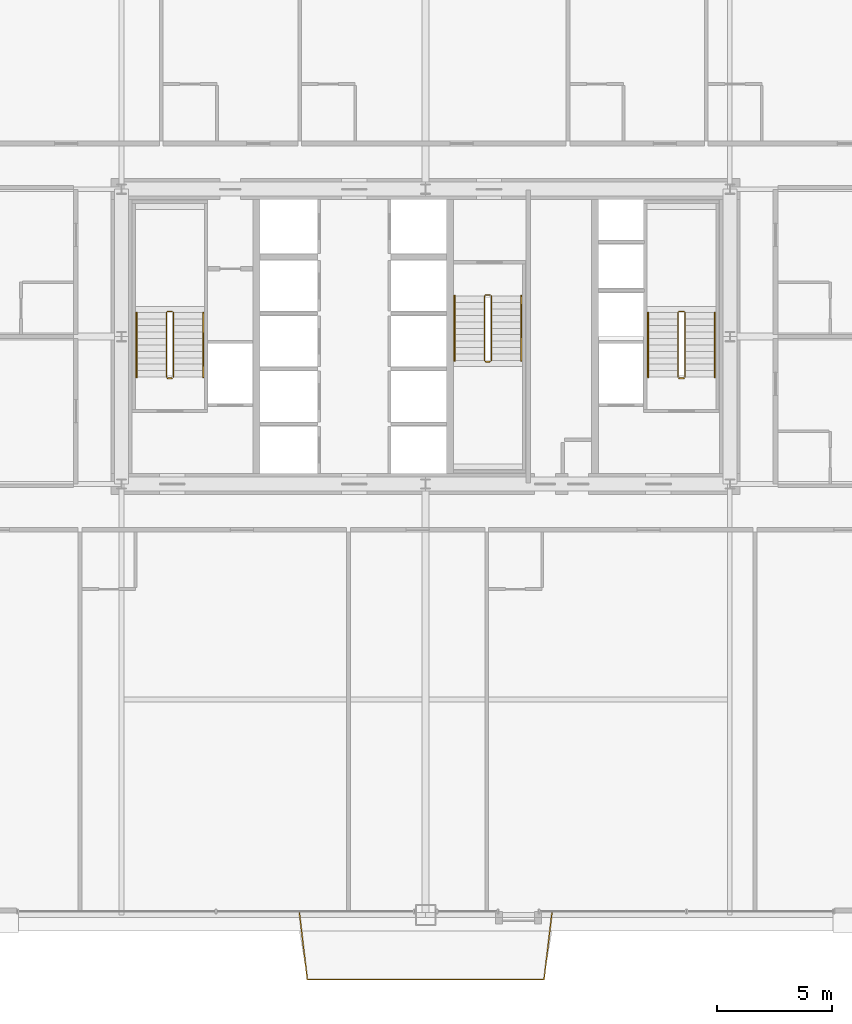
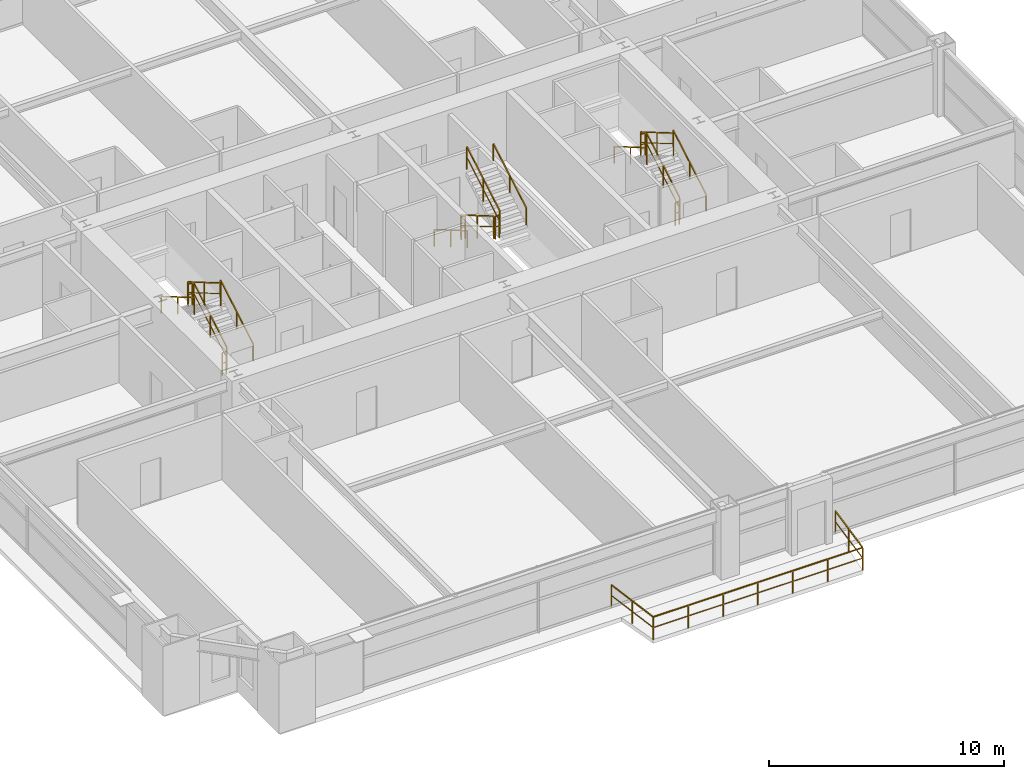
# One storey, part 43 of 43: 19 railings.
"""IFC4 building model written with IfcOpenShell, lengths in metres."""

from ifc_helpers import new_model, si_unit, direction, frame, origin, origin_2d, place, context, subcontext, project, spatial, rectangle, extrude, source, transform, mapped, material, layer, layer_set, type_object, element, save


model = new_model("IFC4")

# Units and contexts
model_context = context("Model", 3, precision=1e-05, world=origin(), true_north=direction((0.0, 1.0)))
body_context = subcontext(model_context, "Body", "Model", "MODEL_VIEW")
ifc_project = project(units=[si_unit("LENGTHUNIT", "METRE"), si_unit("AREAUNIT", "SQUARE_METRE"), si_unit("VOLUMEUNIT", "CUBIC_METRE"), si_unit("PLANEANGLEUNIT", "RADIAN"), si_unit("MASSUNIT", "GRAM", prefix="KILO"), si_unit("THERMODYNAMICTEMPERATUREUNIT", "KELVIN"), si_unit("POWERUNIT", "WATT")], contexts=[model_context])

# Site, building, storey
site_placement = place(None, origin())
site = spatial("IfcSite", under=ifc_project, at=site_placement, CompositionType="ELEMENT")
building_placement = place(site_placement, origin())
building = spatial("IfcBuilding", under=site, at=building_placement, Name="Yuzanri Waterfront Tower", CompositionType="ELEMENT")
storey_placement = place(building_placement, frame((0.0, 0.0, 78.39990234375)))
storey = spatial("IfcBuildingStorey", under=building, at=storey_placement, Name="L20", CompositionType="ELEMENT", Elevation=78.39990234375)

# Railings
ifc_material_1 = material(Name="Anodized Architectural Bronze", Category="metal")
ifc_layer_1 = layer(ifc_material_1, 0.080078125)
ifc_layer_set_1 = layer_set([ifc_layer_1], Name="Anodized Architectural Bronze")
railing_type_1 = type_object("IfcRailingType", Name="Laminated Glass and Bronze Balcony Guardrail 1200", PredefinedType="BALUSTRADE", material=ifc_layer_set_1)
shared_shape_1 = source(origin(), body_context, "Body", "SweptSolid", [
    extrude(rectangle(XDim=0.050048828125, YDim=0.050048828125, at=origin_2d()), frame((0.0, 0.0, 1.1748046875), z_axis=(0.117929074741, -0.993022020567, 0.0), x_axis=(0.993022020567, 0.117929074741, 0.0)), (0.0, 0.0, 1.0), 2.96875),
    extrude(rectangle(XDim=0.035888671875, YDim=0.030029296875, at=origin_2d()), frame((0.0, 0.0, 0.6240234375), z_axis=(0.117929074741, -0.993022020567, 0.0), x_axis=(0.993022020567, 0.117929074741, 0.0)), (0.0, 0.0, 1.0), 2.96875),
    extrude(rectangle(XDim=0.050048828125, YDim=0.050048828125, at=origin_2d()), frame((0.35009765625, -2.947998046875, 1.1748046875), z_axis=(1.0, 0.0, 0.0), x_axis=(0.0, 1.0, 0.0)), (0.0, 0.0, 1.0), 10.27392578125),
    extrude(rectangle(XDim=0.035888671875, YDim=0.030029296875, at=origin_2d()), frame((0.35009765625, -2.947998046875, 0.6240234375), z_axis=(1.0, 0.0, 0.0), x_axis=(0.0, 1.0, 0.0)), (0.0, 0.0, 1.0), 10.27392578125),
    extrude(rectangle(XDim=0.050048828125, YDim=0.050048828125, at=origin_2d()), frame((10.6240234375, -2.947998046875, 1.1748046875), z_axis=(0.117929074741, 0.993022020567, 0.0), x_axis=(-0.993022020567, 0.117929074741, 0.0)), (0.0, 0.0, 1.0), 2.96875),
    extrude(rectangle(XDim=0.035888671875, YDim=0.030029296875, at=origin_2d()), frame((10.6240234375, -2.947998046875, 0.6240234375), z_axis=(0.117929074741, 0.993022020567, 0.0), x_axis=(-0.993022020567, 0.117929074741, 0.0)), (0.0, 0.0, 1.0), 2.96875),
    extrude(rectangle(XDim=0.0458984375, YDim=0.0458984375, at=origin_2d()), origin(), (0.0, 0.0, 1.0), 1.14990234375),
    extrude(rectangle(XDim=0.0458984375, YDim=0.0458984375, at=origin_2d()), frame((0.175048828125, -1.47412109375, 0.0)), (0.0, 0.0, 1.0), 1.14990234375),
    extrude(rectangle(XDim=0.0458984375, YDim=0.0458984375, at=origin_2d()), frame((0.35009765625, -2.947998046875, 0.0)), (0.0, 0.0, 1.0), 1.14990234375),
    extrude(rectangle(XDim=0.0458984375, YDim=0.0458984375, at=origin_2d()), frame((2.0625, -2.947998046875, 0.0)), (0.0, 0.0, 1.0), 1.14990234375),
    extrude(rectangle(XDim=0.0458984375, YDim=0.0458984375, at=origin_2d()), frame((3.774658203125, -2.947998046875, 0.0)), (0.0, 0.0, 1.0), 1.14990234375),
    extrude(rectangle(XDim=0.0458984375, YDim=0.0458984375, at=origin_2d()), frame((5.487060546875, -2.947998046875, 0.0)), (0.0, 0.0, 1.0), 1.14990234375),
    extrude(rectangle(XDim=0.0458984375, YDim=0.0458984375, at=origin_2d()), frame((7.199462890625, -2.947998046875, 0.0)), (0.0, 0.0, 1.0), 1.14990234375),
    extrude(rectangle(XDim=0.0458984375, YDim=0.0458984375, at=origin_2d()), frame((8.91162109375, -2.947998046875, 0.0)), (0.0, 0.0, 1.0), 1.14990234375),
    extrude(rectangle(XDim=0.0458984375, YDim=0.0458984375, at=origin_2d()), frame((10.6240234375, -2.947998046875, 0.0)), (0.0, 0.0, 1.0), 1.14990234375),
    extrude(rectangle(XDim=0.0458984375, YDim=0.0458984375, at=origin_2d()), frame((10.799072265625, -1.47412109375, 0.0)), (0.0, 0.0, 1.0), 1.14990234375),
    extrude(rectangle(XDim=0.0458984375, YDim=0.0458984375, at=origin_2d()), frame((10.97412109375, 0.0, 0.0)), (0.0, 0.0, 1.0), 1.14990234375),
])
railing_1_placement = place(storey_placement, frame((31.512939453125, 0.85009765625, 0.0)))
element("IfcRailing", 1, at=railing_1_placement, inside=storey, type_object=railing_type_1, Name="L20 S Engawa Terrace Guardrail", PredefinedType="BALUSTRADE", context=body_context, shape_type="MappedRepresentation", body=[
    mapped(shared_shape_1, transform((0.0, 0.0, 0.0), scale=1.0)),
])
ifc_material_2 = material(Name="Painted Galvanized Fire Steel", Category="steel")
ifc_layer_2 = layer(ifc_material_2, 0.06005859375)
ifc_layer_set_2 = layer_set([ifc_layer_2], Name="Painted Galvanized Fire Steel")
railing_type_2 = type_object("IfcRailingType", Name="Painted Steel Stairwell Guardrail 1120", PredefinedType="GUARDRAIL", material=ifc_layer_set_2)
shared_shape_2 = source(origin(), body_context, "Body", "SweptSolid", [
    extrude(rectangle(XDim=0.050048828125, YDim=0.050048828125, at=origin_2d()), frame((0.0, 0.0, 1.1748046875), z_axis=(-1.0, 0.0, 0.0), x_axis=(0.0, -1.0, 0.0)), (0.0, 0.0, 1.0), 0.199951171875),
    extrude(rectangle(XDim=0.035888671875, YDim=0.030029296875, at=origin_2d()), frame((0.0, 0.0, 0.6240234375), z_axis=(-1.0, 0.0, 0.0), x_axis=(0.0, -1.0, 0.0)), (0.0, 0.0, 1.0), 0.199951171875),
    extrude(rectangle(XDim=0.0458984375, YDim=0.0458984375, at=origin_2d()), origin(), (0.0, 0.0, 1.0), 1.14990234375),
    extrude(rectangle(XDim=0.0458984375, YDim=0.0458984375, at=origin_2d()), frame((-0.199951171875, 0.0, 0.0)), (0.0, 0.0, 1.0), 1.14990234375),
])
for number, where, name in (
    (2, (26.0, 26.889892578125, 1.800048828125), "L20 ST-01 stair guard 2"),
    (3, (26.0, 23.989990234375, 0.0), "L20 ST-01 stair guard 4"),
    (4, (48.199951171875, 26.889892578125, 1.800048828125), "L20 ST-02 stair guard 2"),
    (5, (48.199951171875, 23.989990234375, 0.0), "L20 ST-02 stair guard 4"),
):
    element("IfcRailing", number, at=place(storey_placement, frame(where)), inside=storey, type_object=railing_type_2, Name=name, PredefinedType="GUARDRAIL", context=body_context, shape_type="MappedRepresentation", body=[
        mapped(shared_shape_2, transform((0.0, 0.0, 0.0), scale=1.0)),
    ])
shared_shape_3 = source(origin(), body_context, "Body", "SweptSolid", [
    extrude(rectangle(XDim=0.050048828125, YDim=0.050048828125, at=origin_2d()), frame((0.0, 0.0, 1.1748046875), z_axis=(0.0, 0.863393664356, 0.504530851732), x_axis=(-1.0, 0.0, 0.0)), (0.0, 0.0, 1.0), 3.2431640625),
    extrude(rectangle(XDim=0.035888671875, YDim=0.030029296875, at=origin_2d()), frame((0.0, 0.0, 0.6240234375), z_axis=(0.0, 0.863393664356, 0.504530851732), x_axis=(-1.0, 0.0, 0.0)), (0.0, 0.0, 1.0), 3.2431640625),
    extrude(rectangle(XDim=0.0458984375, YDim=0.0458984375, at=origin_2d()), origin(), (0.0, 0.0, 1.0), 1.14990234375),
    extrude(rectangle(XDim=0.0458984375, YDim=0.0458984375, at=origin_2d()), frame((0.0, 1.39990234375, 0.818115234375)), (0.0, 0.0, 1.0), 1.14990234375),
    extrude(rectangle(XDim=0.0458984375, YDim=0.0458984375, at=origin_2d()), frame((0.0, 2.800048828125, 1.63623046875)), (0.0, 0.0, 1.0), 1.14990234375),
])
for number, where, name in (
    (6, (26.050048828125, 24.0400390625, 0.163818359375), "L20 ST-01 stair guard 1"),
    (7, (48.25, 24.0400390625, 0.163818359375), "L20 ST-02 stair guard 1"),
):
    element("IfcRailing", number, at=place(storey_placement, frame(where)), inside=storey, type_object=railing_type_2, Name=name, PredefinedType="GUARDRAIL", context=body_context, shape_type="MappedRepresentation", body=[
        mapped(shared_shape_3, transform((0.0, 0.0, 0.0), scale=1.0)),
    ])
shared_shape_4 = source(origin(), body_context, "Body", "SweptSolid", [
    extrude(rectangle(XDim=0.050048828125, YDim=0.050048828125, at=origin_2d()), frame((0.0, 0.0, 1.1748046875), z_axis=(0.0, -0.863393664356, 0.504530851732), x_axis=(1.0, 0.0, 0.0)), (0.0, 0.0, 1.0), 3.2431640625),
    extrude(rectangle(XDim=0.035888671875, YDim=0.030029296875, at=origin_2d()), frame((0.0, 0.0, 0.6240234375), z_axis=(0.0, -0.863393664356, 0.504530851732), x_axis=(1.0, 0.0, 0.0)), (0.0, 0.0, 1.0), 3.2431640625),
    extrude(rectangle(XDim=0.0458984375, YDim=0.0458984375, at=origin_2d()), origin(), (0.0, 0.0, 1.0), 1.14990234375),
    extrude(rectangle(XDim=0.0458984375, YDim=0.0458984375, at=origin_2d()), frame((0.0, -1.39990234375, 0.818115234375)), (0.0, 0.0, 1.0), 1.14990234375),
    extrude(rectangle(XDim=0.0458984375, YDim=0.0458984375, at=origin_2d()), frame((0.0, -2.800048828125, 1.63623046875)), (0.0, 0.0, 1.0), 1.14990234375),
])
railing_2_placement = place(storey_placement, frame((39.550048828125, 27.56005859375, 0.163818359375)))
element("IfcRailing", 8, at=railing_2_placement, inside=storey, type_object=railing_type_2, Name="L20 ST-03 stair guard 1", PredefinedType="GUARDRAIL", context=body_context, shape_type="MappedRepresentation", body=[
    mapped(shared_shape_4, transform((0.0, 0.0, 0.0), scale=1.0)),
])
ifc_material_3 = material(Name="Anodized Architectural Bronze", Category="metal")
ifc_layer_3 = layer(ifc_material_3, 0.050048828125)
ifc_layer_set_3 = layer_set([ifc_layer_3], Name="Anodized Architectural Bronze")
railing_type_3 = type_object("IfcRailingType", Name="Brushed Bronze Stair Pitch Handrail 920", PredefinedType="HANDRAIL", material=ifc_layer_set_3)
shared_shape_5 = source(origin(), body_context, "Body", "SweptSolid", [
    extrude(rectangle(XDim=0.050048828125, YDim=0.050048828125, at=origin_2d()), frame((0.0, 0.0, 0.875), z_axis=(0.0, 0.863393664356, 0.504530851732), x_axis=(-1.0, 0.0, 0.0)), (0.0, 0.0, 1.0), 3.2431640625),
    extrude(rectangle(XDim=0.0458984375, YDim=0.0458984375, at=origin_2d()), origin(), (0.0, 0.0, 1.0), 0.849853515625),
    extrude(rectangle(XDim=0.0458984375, YDim=0.0458984375, at=origin_2d()), frame((0.0, 1.39990234375, 0.818115234375)), (0.0, 0.0, 1.0), 0.849853515625),
    extrude(rectangle(XDim=0.0458984375, YDim=0.0458984375, at=origin_2d()), frame((0.0, 2.800048828125, 1.63623046875)), (0.0, 0.0, 1.0), 0.849853515625),
])
for number, where, name in (
    (9, (27.35009765625, 24.0400390625, 0.163818359375), "L20 ST-01 stair handrail 1"),
    (10, (49.550048828125, 24.0400390625, 0.163818359375), "L20 ST-02 stair handrail 1"),
):
    element("IfcRailing", number, at=place(storey_placement, frame(where)), inside=storey, type_object=railing_type_3, Name=name, PredefinedType="HANDRAIL", context=body_context, shape_type="MappedRepresentation", body=[
        mapped(shared_shape_5, transform((0.0, 0.0, 0.0), scale=1.0)),
    ])
shared_shape_6 = source(origin(), body_context, "Body", "SweptSolid", [
    extrude(rectangle(XDim=0.050048828125, YDim=0.050048828125, at=origin_2d()), frame((0.0, 0.0, 0.875), z_axis=(0.0, -0.863393664356, 0.504530851732), x_axis=(1.0, 0.0, 0.0)), (0.0, 0.0, 1.0), 3.2431640625),
    extrude(rectangle(XDim=0.0458984375, YDim=0.0458984375, at=origin_2d()), origin(), (0.0, 0.0, 1.0), 0.849853515625),
    extrude(rectangle(XDim=0.0458984375, YDim=0.0458984375, at=origin_2d()), frame((0.0, -1.39990234375, 0.818115234375)), (0.0, 0.0, 1.0), 0.849853515625),
    extrude(rectangle(XDim=0.0458984375, YDim=0.0458984375, at=origin_2d()), frame((0.0, -2.800048828125, 1.63623046875)), (0.0, 0.0, 1.0), 0.849853515625),
])
railing_3_placement = place(storey_placement, frame((38.25, 27.56005859375, 0.163818359375)))
element("IfcRailing", 11, at=railing_3_placement, inside=storey, type_object=railing_type_3, Name="L20 ST-03 stair handrail 1", PredefinedType="HANDRAIL", context=body_context, shape_type="MappedRepresentation", body=[
    mapped(shared_shape_6, transform((0.0, 0.0, 0.0), scale=1.0)),
])
shared_shape_7 = source(origin(), body_context, "Body", "SweptSolid", [
    extrude(rectangle(XDim=0.050048828125, YDim=0.050048828125, at=origin_2d()), frame((0.0, 0.0, 1.1748046875), z_axis=(0.0, 0.863360870873, 0.504586966384), x_axis=(-1.0, 0.0, 0.0)), (0.0, 0.0, 1.0), 3.2431640625),
    extrude(rectangle(XDim=0.035888671875, YDim=0.030029296875, at=origin_2d()), frame((0.0, 0.0, 0.6240234375), z_axis=(0.0, 0.863360870873, 0.504586966384), x_axis=(-1.0, 0.0, 0.0)), (0.0, 0.0, 1.0), 3.2431640625),
    extrude(rectangle(XDim=0.0458984375, YDim=0.0458984375, at=origin_2d()), origin(), (0.0, 0.0, 1.0), 1.14990234375),
    extrude(rectangle(XDim=0.0458984375, YDim=0.0458984375, at=origin_2d()), frame((0.0, 1.39990234375, 0.818359375)), (0.0, 0.0, 1.0), 1.14990234375),
    extrude(rectangle(XDim=0.0458984375, YDim=0.0458984375, at=origin_2d()), frame((0.0, 2.800048828125, 1.636474609375)), (0.0, 0.0, 1.0), 1.14990234375),
])
railing_4_placement = place(storey_placement, frame((39.85009765625, 24.760009765625, 1.963623046875)))
element("IfcRailing", 12, at=railing_4_placement, inside=storey, type_object=railing_type_2, Name="L20 ST-03 stair guard 3", PredefinedType="GUARDRAIL", context=body_context, shape_type="MappedRepresentation", body=[
    mapped(shared_shape_7, transform((0.0, 0.0, 0.0), scale=1.0)),
])
shared_shape_8 = source(origin(), body_context, "Body", "SweptSolid", [
    extrude(rectangle(XDim=0.050048828125, YDim=0.050048828125, at=origin_2d()), frame((0.0, 0.0, 1.1748046875), z_axis=(0.0, -0.863360870873, 0.504586966384), x_axis=(1.0, 0.0, 0.0)), (0.0, 0.0, 1.0), 3.2431640625),
    extrude(rectangle(XDim=0.035888671875, YDim=0.030029296875, at=origin_2d()), frame((0.0, 0.0, 0.6240234375), z_axis=(0.0, -0.863360870873, 0.504586966384), x_axis=(1.0, 0.0, 0.0)), (0.0, 0.0, 1.0), 3.2431640625),
    extrude(rectangle(XDim=0.0458984375, YDim=0.0458984375, at=origin_2d()), origin(), (0.0, 0.0, 1.0), 1.14990234375),
    extrude(rectangle(XDim=0.0458984375, YDim=0.0458984375, at=origin_2d()), frame((0.0, -1.39990234375, 0.818359375)), (0.0, 0.0, 1.0), 1.14990234375),
    extrude(rectangle(XDim=0.0458984375, YDim=0.0458984375, at=origin_2d()), frame((0.0, -2.800048828125, 1.636474609375)), (0.0, 0.0, 1.0), 1.14990234375),
])
for number, where, name in (
    (13, (25.75, 26.840087890625, 1.963623046875), "L20 ST-01 stair guard 3"),
    (14, (47.949951171875, 26.840087890625, 1.963623046875), "L20 ST-02 stair guard 3"),
):
    element("IfcRailing", number, at=place(storey_placement, frame(where)), inside=storey, type_object=railing_type_2, Name=name, PredefinedType="GUARDRAIL", context=body_context, shape_type="MappedRepresentation", body=[
        mapped(shared_shape_8, transform((0.0, 0.0, 0.0), scale=1.0)),
    ])
shared_shape_9 = source(origin(), body_context, "Body", "SweptSolid", [
    extrude(rectangle(XDim=0.050048828125, YDim=0.050048828125, at=origin_2d()), frame((0.0, 0.0, 0.875), z_axis=(0.0, 0.863360870873, 0.504586966384), x_axis=(-1.0, 0.0, 0.0)), (0.0, 0.0, 1.0), 3.2431640625),
    extrude(rectangle(XDim=0.0458984375, YDim=0.0458984375, at=origin_2d()), origin(), (0.0, 0.0, 1.0), 0.849853515625),
    extrude(rectangle(XDim=0.0458984375, YDim=0.0458984375, at=origin_2d()), frame((0.0, 1.39990234375, 0.818359375)), (0.0, 0.0, 1.0), 0.849853515625),
    extrude(rectangle(XDim=0.0458984375, YDim=0.0458984375, at=origin_2d()), frame((0.0, 2.800048828125, 1.636474609375)), (0.0, 0.0, 1.0), 0.849853515625),
])
railing_5_placement = place(storey_placement, frame((41.14990234375, 24.760009765625, 1.963623046875)))
element("IfcRailing", 15, at=railing_5_placement, inside=storey, type_object=railing_type_3, Name="L20 ST-03 stair handrail 2", PredefinedType="HANDRAIL", context=body_context, shape_type="MappedRepresentation", body=[
    mapped(shared_shape_9, transform((0.0, 0.0, 0.0), scale=1.0)),
])
shared_shape_10 = source(origin(), body_context, "Body", "SweptSolid", [
    extrude(rectangle(XDim=0.050048828125, YDim=0.050048828125, at=origin_2d()), frame((0.0, 0.0, 0.875), z_axis=(0.0, -0.863360870873, 0.504586966384), x_axis=(1.0, 0.0, 0.0)), (0.0, 0.0, 1.0), 3.2431640625),
    extrude(rectangle(XDim=0.0458984375, YDim=0.0458984375, at=origin_2d()), origin(), (0.0, 0.0, 1.0), 0.849853515625),
    extrude(rectangle(XDim=0.0458984375, YDim=0.0458984375, at=origin_2d()), frame((0.0, -1.39990234375, 0.818359375)), (0.0, 0.0, 1.0), 0.849853515625),
    extrude(rectangle(XDim=0.0458984375, YDim=0.0458984375, at=origin_2d()), frame((0.0, -2.800048828125, 1.636474609375)), (0.0, 0.0, 1.0), 0.849853515625),
])
for number, where, name in (
    (16, (24.449951171875, 26.840087890625, 1.963623046875), "L20 ST-01 stair handrail 2"),
    (17, (46.64990234375, 26.840087890625, 1.963623046875), "L20 ST-02 stair handrail 2"),
):
    element("IfcRailing", number, at=place(storey_placement, frame(where)), inside=storey, type_object=railing_type_3, Name=name, PredefinedType="HANDRAIL", context=body_context, shape_type="MappedRepresentation", body=[
        mapped(shared_shape_10, transform((0.0, 0.0, 0.0), scale=1.0)),
    ])
shared_shape_11 = source(origin(), body_context, "Body", "SweptSolid", [
    extrude(rectangle(XDim=0.050048828125, YDim=0.050048828125, at=origin_2d()), frame((0.0, 0.0, 1.1748046875), z_axis=(1.0, 0.0, 0.0), x_axis=(0.0, 1.0, 0.0)), (0.0, 0.0, 1.0), 0.199951171875),
    extrude(rectangle(XDim=0.035888671875, YDim=0.030029296875, at=origin_2d()), frame((0.0, 0.0, 0.6240234375), z_axis=(1.0, 0.0, 0.0), x_axis=(0.0, 1.0, 0.0)), (0.0, 0.0, 1.0), 0.199951171875),
    extrude(rectangle(XDim=0.0458984375, YDim=0.0458984375, at=origin_2d()), origin(), (0.0, 0.0, 1.0), 1.14990234375),
    extrude(rectangle(XDim=0.0458984375, YDim=0.0458984375, at=origin_2d()), frame((0.199951171875, 0.0, 0.0)), (0.0, 0.0, 1.0), 1.14990234375),
])
for number, where, name in (
    (18, (39.60009765625, 24.7099609375, 1.800048828125), "L20 ST-03 stair guard 2"),
    (19, (39.60009765625, 27.610107421875, 0.0), "L20 ST-03 stair guard 4"),
):
    element("IfcRailing", number, at=place(storey_placement, frame(where)), inside=storey, type_object=railing_type_2, Name=name, PredefinedType="GUARDRAIL", context=body_context, shape_type="MappedRepresentation", body=[
        mapped(shared_shape_11, transform((0.0, 0.0, 0.0), scale=1.0)),
    ])

save(model, "model.ifc")
